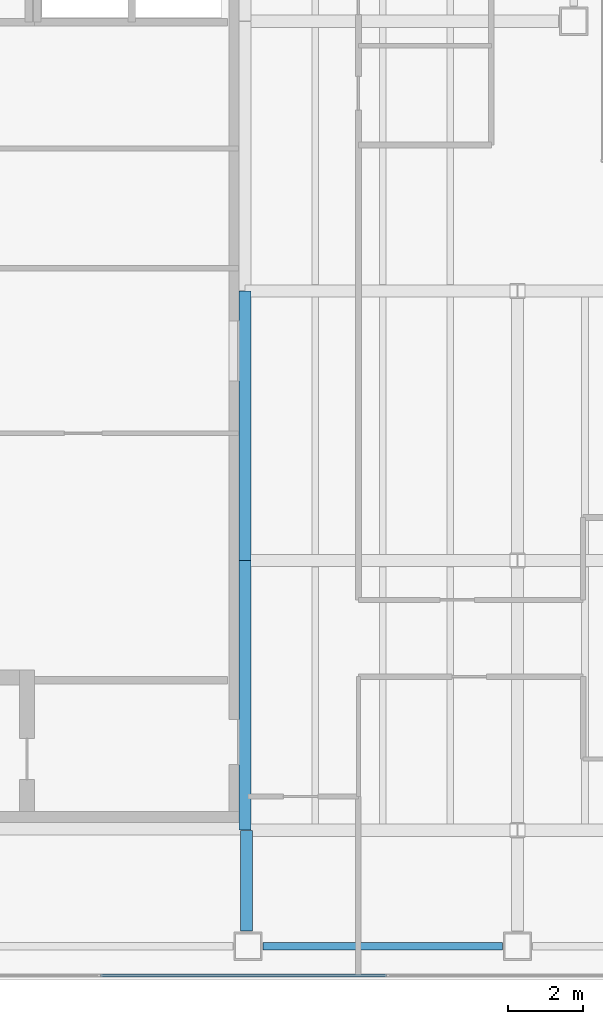
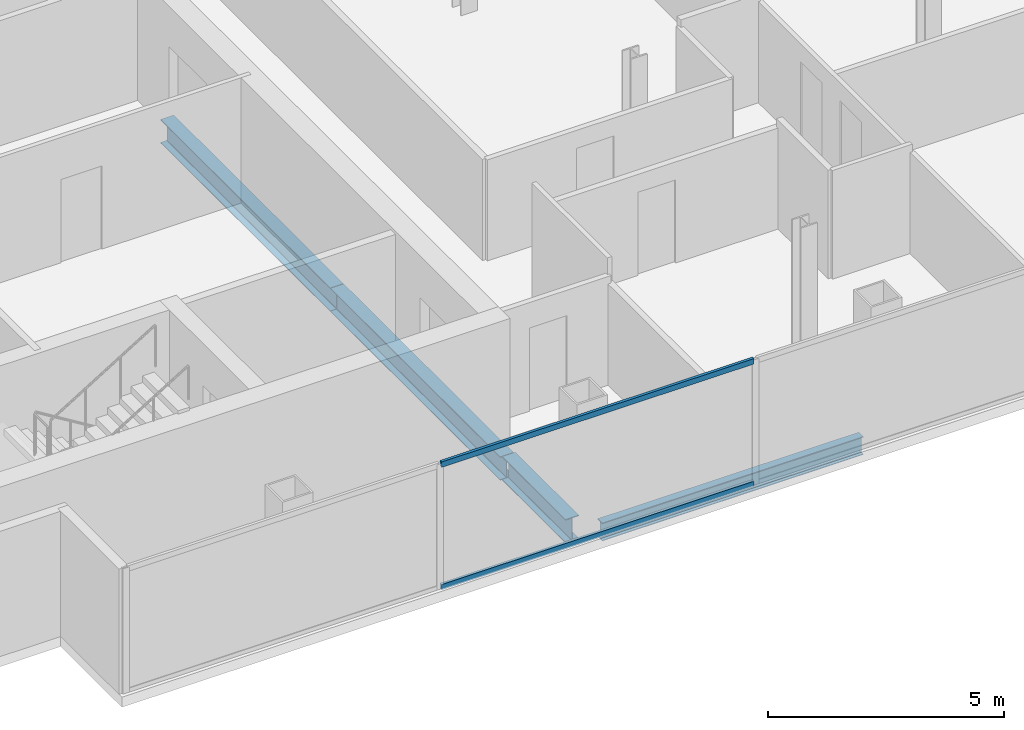
# One storey, part 3 of 23: 4 beams, 2 members, 1 element without a shape of its own.
"""IFC4 building model written with IfcOpenShell, lengths in metres."""

from ifc_helpers import new_model, si_unit, direction, frame, origin, origin_2d, place, context, subcontext, project, spatial, hollow_rectangle, i_section, extrude, material, material_profile, profile_set, type_object, element, aggregate, save


model = new_model("IFC4")

# Units and contexts
model_context = context("Model", 3, precision=1e-05, world=origin(), true_north=direction((0.0, 1.0)))
body_context = subcontext(model_context, "Body", "Model", "MODEL_VIEW")
ifc_project = project(units=[si_unit("LENGTHUNIT", "METRE"), si_unit("AREAUNIT", "SQUARE_METRE"), si_unit("VOLUMEUNIT", "CUBIC_METRE"), si_unit("PLANEANGLEUNIT", "RADIAN"), si_unit("MASSUNIT", "GRAM", prefix="KILO")], contexts=[model_context])

# Site, building, storey
site_placement = place(None, origin())
site = spatial("IfcSite", under=ifc_project, at=site_placement, CompositionType="ELEMENT")
building_placement = place(site_placement, origin())
building = spatial("IfcBuilding", under=site, at=building_placement, Name="Cobrela Telecom Tower", CompositionType="ELEMENT")
storey_placement = place(building_placement, frame((0.0, 0.0, 201.25)))
storey = spatial("IfcBuildingStorey", under=building, at=storey_placement, Name="L51", CompositionType="ELEMENT", Elevation=201.25)

# Beams
ifc_material_1 = material(Name="Steel ASTM A992 Grade 50", Category="steel")
ifc_material_profile_1 = material_profile(ifc_material_1, i_section(OverallWidth=0.324951171875, OverallDepth=0.612060546875, WebThickness=0.0126953125, FlangeThickness=0.01904296875, FilletRadius=0.014892578125, at=origin_2d()), Name="W24X104")
ifc_profile_set_1 = profile_set([ifc_material_profile_1], Name="Steel ASTM A992 Grade 50")
beam_type_1 = type_object("IfcBeamType", Name="BM-GIRD-07", PredefinedType="USERDEFINED", material=ifc_profile_set_1)
beam_1_placement = place(storey_placement, frame((14.360107421875, 4.5048828125, -0.56591796875), z_axis=(0.0, 1.0, 0.0), x_axis=(-1.0, 0.0, 0.0)))
element("IfcBeam", 1, at=beam_1_placement, inside=storey, type_object=beam_type_1, Name="L51 Primary Girder Y26", ObjectType="GIRDER", PredefinedType="USERDEFINED", context=body_context, shape_type="SweptSolid", body=[
    extrude(i_section(OverallWidth=0.324951171875, OverallDepth=0.612060546875, WebThickness=0.0126953125, FlangeThickness=0.01904296875, FilletRadius=0.014892578125, at=origin_2d()), origin(), (0.0, 0.0, 1.0), 2.690185546875),
])
for number, where, z_axis, x_axis, name in (
    (2, (14.320068359375, 7.205078125, -0.56591796875), (0.0, 1.0, 0.0), (-1.0, 0.0, 0.0), "L51 Primary Girder Y27"),
    (3, (14.320068359375, 14.405029296875, -0.56591796875), (0.0, 1.0, 0.0), (-1.0, 0.0, 0.0), "L51 Primary Girder Y28"),
):
    element("IfcBeam", number, at=place(storey_placement, frame(where, z_axis=z_axis, x_axis=x_axis)), inside=storey, type_object=beam_type_1, Name=name, ObjectType="GIRDER", PredefinedType="USERDEFINED", context=body_context, shape_type="SweptSolid", body=[
        extrude(i_section(OverallWidth=0.324951171875, OverallDepth=0.612060546875, WebThickness=0.0126953125, FlangeThickness=0.01904296875, FilletRadius=0.014892578125, at=origin_2d()), origin(), (0.0, 0.0, 1.0), 7.18994140625),
    ])
ifc_material_profile_2 = material_profile(ifc_material_1, i_section(OverallWidth=0.193115234375, OverallDepth=0.467041015625, WebThickness=0.011474609375, FlangeThickness=0.01904296875, FilletRadius=0.012939453125, at=origin_2d()), Name="W18X65")
ifc_profile_set_2 = profile_set([ifc_material_profile_2], Name="Steel ASTM A992 Grade 50")
beam_type_2 = type_object("IfcBeamType", Name="BM-SPAND-05", PredefinedType="SPANDREL", material=ifc_profile_set_2)
beam_2_placement = place(storey_placement, frame((14.804931640625, 4.10009765625, -0.493408203125), z_axis=(1.0, 0.0, 0.0), x_axis=(0.0, 1.0, 0.0)))
element("IfcBeam", 4, at=beam_2_placement, inside=storey, type_object=beam_type_2, Name="L51 Perimeter Spandrel X02", PredefinedType="SPANDREL", context=body_context, shape_type="SweptSolid", body=[
    extrude(i_section(OverallWidth=0.193115234375, OverallDepth=0.467041015625, WebThickness=0.011474609375, FlangeThickness=0.01904296875, FilletRadius=0.012939453125, at=origin_2d()), origin(), (0.0, 0.0, 1.0), 6.39013671875),
])

# Curtain wall, members
ifc_material_2 = material(Name="Anodized Bronze Aluminium 6063-T6", Category="aluminium")
curtain_wall_type = type_object("IfcCurtainWallType", Name="CW-SYS-OFF-LO", PredefinedType="USERDEFINED", material=ifc_material_2)
curtain_wall_placement = place(storey_placement, origin())
curtain_wall = element("IfcCurtainWall", 5, at=curtain_wall_placement, inside=storey, type_object=curtain_wall_type, Name="L51 Unitised Bronze Curtain Wall 17", ObjectType="UNITISED CURTAIN WALL", PredefinedType="USERDEFINED")
ifc_material_profile_3 = material_profile(ifc_material_2, hollow_rectangle(XDim=0.070068359375, YDim=0.139892578125, WallThickness=0.00390625, at=origin_2d()), Name="ALU 70x140x4")
ifc_profile_set_3 = profile_set([ifc_material_profile_3], Name="Anodized Bronze Aluminium 6063-T6")
member_type = type_object("IfcMemberType", Name="CW-SYS-OFF-LO-TRN", PredefinedType="USERDEFINED", material=ifc_profile_set_3)
member_1_placement = place(storey_placement, frame((18.10693359375, 3.320068359375, 0.034912109375), z_axis=(-1.0, 0.0, 0.0), x_axis=(0.0, -1.0, 0.0)))
member_1 = element("IfcMember", 6, at=member_1_placement, type_object=member_type, Name="CW-OFF-LO transom 4.1", ObjectType="TRANSOM", PredefinedType="USERDEFINED", context=body_context, shape_type="SweptSolid", body=[
    extrude(hollow_rectangle(XDim=0.070068359375, YDim=0.139892578125, WallThickness=0.00390625, at=origin_2d()), origin(), (0.0, 0.0, 1.0), 7.64599609375),
])
member_2_placement = place(storey_placement, frame((18.10693359375, 3.320068359375, 3.205078125), z_axis=(-1.0, 0.0, 0.0), x_axis=(0.0, -1.0, 0.0)))
member_2 = element("IfcMember", 7, at=member_2_placement, type_object=member_type, Name="CW-OFF-LO transom 4.2", ObjectType="TRANSOM", PredefinedType="USERDEFINED", context=body_context, shape_type="SweptSolid", body=[
    extrude(hollow_rectangle(XDim=0.070068359375, YDim=0.139892578125, WallThickness=0.00390625, at=origin_2d()), origin(), (0.0, 0.0, 1.0), 7.64599609375),
])
aggregate(curtain_wall, [member_1, member_2])

save(model, "model.ifc")
